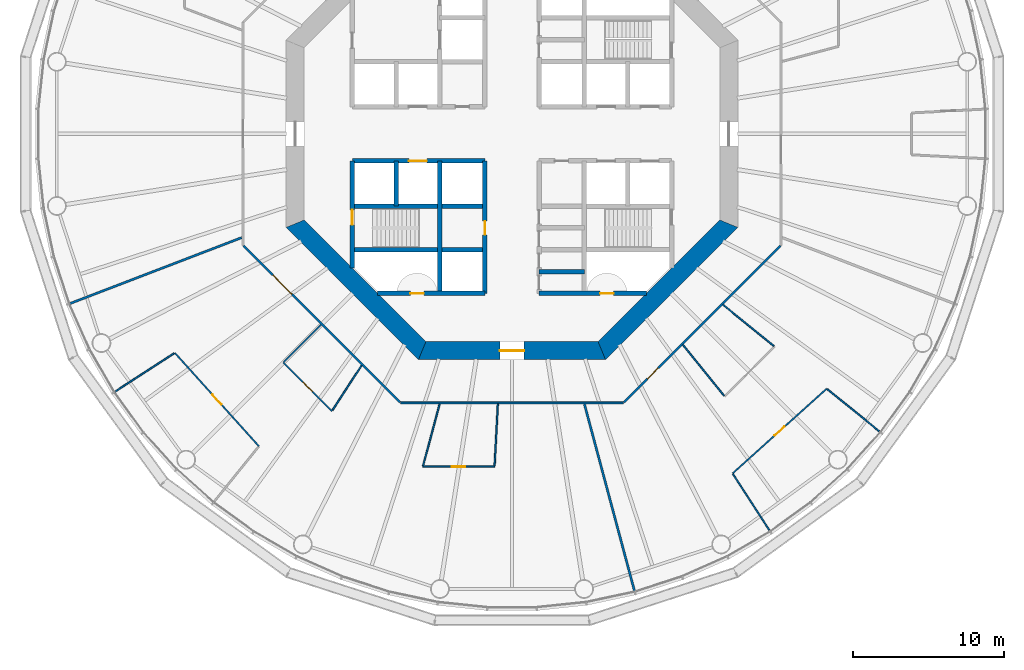
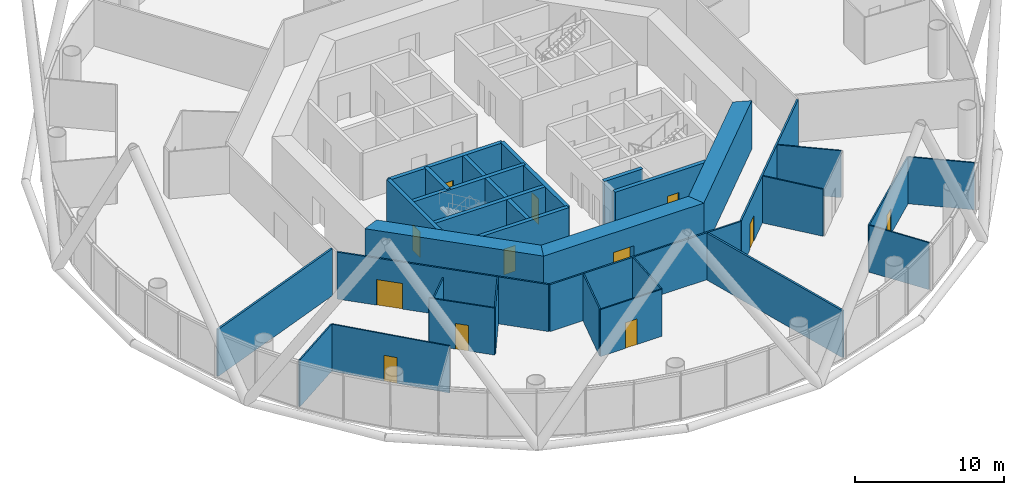
# One storey, part 3 of 13: 31 walls, 12 doors, 12 openings.
"""IFC4 building model written with IfcOpenShell, lengths in metres."""

from ifc_helpers import new_model, si_unit, direction, frame, frame_2d, origin, place, context, subcontext, project, spatial, polyline, rectangle, outline, extrude, material, layer, layer_set, type_object, element, fill, save


model = new_model("IFC4")

# Units and contexts
model_context = context("Model", 3, precision=1e-05, world=origin(), true_north=direction((0.0, 1.0)))
body_context = subcontext(model_context, "Body", "Model", "MODEL_VIEW")
ifc_project = project(units=[si_unit("LENGTHUNIT", "METRE"), si_unit("AREAUNIT", "SQUARE_METRE"), si_unit("VOLUMEUNIT", "CUBIC_METRE"), si_unit("PLANEANGLEUNIT", "RADIAN"), si_unit("MASSUNIT", "GRAM", prefix="KILO")], contexts=[model_context])

# Site, building, storey
site_placement = place(None, origin())
site = spatial("IfcSite", under=ifc_project, at=site_placement, CompositionType="ELEMENT")
building_placement = place(site_placement, origin())
building = spatial("IfcBuilding", under=site, at=building_placement, Name="Entoto Ring Tower", CompositionType="ELEMENT")
storey_placement = place(building_placement, frame((0.0, 0.0, 116.0)))
storey = spatial("IfcBuildingStorey", under=building, at=storey_placement, Name="L26", CompositionType="ELEMENT", Elevation=116.0)

# Wall, opening, door
ifc_material_1 = material(Name="Concrete C40/50", Category="concrete")
ifc_layer_1 = layer(ifc_material_1, 0.300048828125)
ifc_layer_set_1 = layer_set([ifc_layer_1], Name="Concrete C40/50")
wall_type_1 = type_object("IfcWallType", Name="Core enclosure wall 300 mm reinforced concrete", PredefinedType="SOLIDWALL", material=ifc_layer_set_1)
wall_1_placement = place(storey_placement, frame((88.199951171875, 69.39990234375, 0.0), z_axis=(0.0, 0.0, 1.0), x_axis=(0.0, 1.0, 0.0)))
wall_1 = element("IfcWall", 1, at=wall_1_placement, inside=storey, type_object=wall_type_1, Name="wall-L26-009", PredefinedType="SOLIDWALL", context=body_context, shape_type="SweptSolid", body=[
    extrude(rectangle(XDim=8.800048828125, YDim=0.300048828125, at=frame_2d((4.39990234375, 0.0))), origin(), (0.0, 0.0, 1.0), 3.85009765625),
])
opening_1_placement = place(wall_1_placement, frame((3.89990234375, 0.0, 0.0)))
opening_1 = element("IfcOpeningElement", 2, at=opening_1_placement, cuts=wall_1, Name="Opening K-57", PredefinedType="OPENING", context=body_context, shape_type="SweptSolid", body=[
    extrude(rectangle(XDim=0.89990234375, YDim=2.10009765625, at=frame_2d((0.449951171875, 1.050048828125))), frame((0.0, 0.16015625, 0.0), z_axis=(0.0, -1.0, 0.0), x_axis=(1.0, 0.0, 0.0)), (0.0, 0.0, 1.0), 0.320068359375),
])
ifc_material_2 = material(Name="Steel door leaf, fire rated", Category="steel")
ifc_layer_2 = layer(ifc_material_2, 0.050048828125)
ifc_layer_set_2 = layer_set([ifc_layer_2], Name="Steel door leaf, fire rated")
door_type_1 = type_object("IfcDoorType", Name="Core door 900 x 2100 single leaf", OperationType="NOTDEFINED", PredefinedType="DOOR", material=ifc_layer_set_2)
door_1_placement = place(opening_1_placement, origin())
door_1 = element("IfcDoor", 3, at=door_1_placement, inside=storey, type_object=door_type_1, Name="Door K-57", OperationType="SINGLE_SWING_RIGHT", OverallHeight=2.10009765625, OverallWidth=0.89990234375, PredefinedType="DOOR", context=body_context, shape_type="SweptSolid", body=[
    extrude(rectangle(XDim=0.89990234375, YDim=2.10009765625, at=frame_2d((0.449951171875, 1.050048828125))), frame((0.0, 0.02490234375, 0.0), z_axis=(0.0, -1.0, 0.0), x_axis=(1.0, 0.0, 0.0)), (0.0, 0.0, 1.0), 0.050048828125),
])
fill(opening_1, door_1)

# Walls
wall_2_placement = place(storey_placement, frame((85.199951171875, 69.39990234375, 0.0), z_axis=(0.0, 0.0, 1.0), x_axis=(0.0, 1.0, 0.0)))
element("IfcWall", 4, at=wall_2_placement, inside=storey, type_object=wall_type_1, Name="wall-L26-011", PredefinedType="SOLIDWALL", context=body_context, shape_type="SweptSolid", body=[
    extrude(rectangle(XDim=8.800048828125, YDim=0.300048828125, at=frame_2d((4.39990234375, 0.0))), origin(), (0.0, 0.0, 1.0), 3.85009765625),
])
wall_3_placement = place(storey_placement, frame((82.300048828125, 75.199951171875, 0.0), z_axis=(0.0, 0.0, 1.0), x_axis=(0.0, 1.0, 0.0)))
element("IfcWall", 5, at=wall_3_placement, inside=storey, type_object=wall_type_1, Name="wall-L26-013", PredefinedType="SOLIDWALL", context=body_context, shape_type="SweptSolid", body=[
    extrude(rectangle(XDim=3.0, YDim=0.300048828125, at=frame_2d((1.5, 0.0))), origin(), (0.0, 0.0, 1.0), 3.85009765625),
])

# Wall, opening, door
wall_4_placement = place(storey_placement, frame((79.39990234375, 71.083984375, 0.0), z_axis=(0.0, 0.0, 1.0), x_axis=(0.0, 1.0, 0.0)))
wall_4 = element("IfcWall", 6, at=wall_4_placement, inside=storey, type_object=wall_type_1, Name="wall-L26-015", PredefinedType="SOLIDWALL", context=body_context, shape_type="SweptSolid", body=[
    extrude(rectangle(XDim=7.115966796875, YDim=0.300048828125, at=frame_2d((3.55810546875, 0.0))), origin(), (0.0, 0.0, 1.0), 3.85009765625),
])
opening_2_placement = place(wall_4_placement, frame((2.8662109375, 0.0, 0.0)))
opening_2 = element("IfcOpeningElement", 7, at=opening_2_placement, cuts=wall_4, Name="Opening K-67", PredefinedType="OPENING", context=body_context, shape_type="SweptSolid", body=[
    extrude(rectangle(XDim=1.0, YDim=2.10009765625, at=frame_2d((0.5, 1.050048828125))), frame((0.0, 0.16015625, 0.0), z_axis=(0.0, -1.0, 0.0), x_axis=(1.0, 0.0, 0.0)), (0.0, 0.0, 1.0), 0.320068359375),
])
ifc_material_3 = material(Name="Steel door leaf, fire rated", Category="steel")
ifc_layer_3 = layer(ifc_material_3, 0.050048828125)
ifc_layer_set_3 = layer_set([ifc_layer_3], Name="Steel door leaf, fire rated")
door_type_2 = type_object("IfcDoorType", Name="Fire door FD60 1000 x 2100 single leaf", OperationType="NOTDEFINED", PredefinedType="DOOR", material=ifc_layer_set_3)
door_2_placement = place(opening_2_placement, frame((1.0, 0.0, 0.0), z_axis=(0.0, 0.0, 1.0), x_axis=(-1.0, 0.0, 0.0)))
door_2 = element("IfcDoor", 8, at=door_2_placement, inside=storey, type_object=door_type_2, Name="Door K-67", OperationType="SINGLE_SWING_LEFT", OverallHeight=2.10009765625, OverallWidth=1.0, PredefinedType="DOOR", context=body_context, shape_type="SweptSolid", body=[
    extrude(rectangle(XDim=1.0, YDim=2.10009765625, at=frame_2d((0.5, 1.050048828125))), frame((0.0, 0.02490234375, 0.0), z_axis=(0.0, -1.0, 0.0), x_axis=(1.0, 0.0, 0.0)), (0.0, 0.0, 1.0), 0.050048828125),
])
fill(opening_2, door_2)

wall_5_placement = place(storey_placement, frame((81.083984375, 69.39990234375, 0.0), z_axis=(0.0, 0.0, 1.0), x_axis=(1.0, 0.0, 0.0)))
wall_5 = element("IfcWall", 9, at=wall_5_placement, inside=storey, type_object=wall_type_1, Name="wall-L26-017", PredefinedType="SOLIDWALL", context=body_context, shape_type="SweptSolid", body=[
    extrude(rectangle(XDim=7.115966796875, YDim=0.300048828125, at=frame_2d((3.55810546875, 0.0))), origin(), (0.0, 0.0, 1.0), 3.85009765625),
])
opening_3_placement = place(wall_5_placement, frame((2.166015625, 0.0, 0.0)))
opening_3 = element("IfcOpeningElement", 10, at=opening_3_placement, cuts=wall_5, Name="Opening K-74", PredefinedType="OPENING", context=body_context, shape_type="SweptSolid", body=[
    extrude(rectangle(XDim=0.89990234375, YDim=2.10009765625, at=frame_2d((0.449951171875, 1.050048828125))), frame((0.0, 0.16015625, 0.0), z_axis=(0.0, -1.0, 0.0), x_axis=(1.0, 0.0, 0.0)), (0.0, 0.0, 1.0), 0.320068359375),
])
ifc_material_4 = material(Name="Steel door leaf, fire rated", Category="steel")
ifc_layer_4 = layer(ifc_material_4, 0.050048828125)
ifc_layer_set_4 = layer_set([ifc_layer_4], Name="Steel door leaf, fire rated")
door_type_3 = type_object("IfcDoorType", Name="Riser door FD60 900 x 2100 single leaf", OperationType="NOTDEFINED", PredefinedType="DOOR", material=ifc_layer_set_4)
door_3_placement = place(opening_3_placement, origin())
door_3 = element("IfcDoor", 11, at=door_3_placement, inside=storey, type_object=door_type_3, Name="Door K-74", OperationType="SINGLE_SWING_RIGHT", OverallHeight=2.10009765625, OverallWidth=0.89990234375, PredefinedType="DOOR", context=body_context, shape_type="SweptSolid", body=[
    extrude(rectangle(XDim=0.89990234375, YDim=2.10009765625, at=frame_2d((0.449951171875, 1.050048828125))), frame((0.0, 0.02490234375, 0.0), z_axis=(0.0, -1.0, 0.0), x_axis=(1.0, 0.0, 0.0)), (0.0, 0.0, 1.0), 0.050048828125),
])
fill(opening_3, door_3)

wall_6_placement = place(storey_placement, frame((91.800048828125, 69.39990234375, 0.0), z_axis=(0.0, 0.0, 1.0), x_axis=(1.0, 0.0, 0.0)))
wall_6 = element("IfcWall", 12, at=wall_6_placement, inside=storey, type_object=wall_type_1, Name="wall-L26-018", PredefinedType="SOLIDWALL", context=body_context, shape_type="SweptSolid", body=[
    extrude(rectangle(XDim=7.115966796875, YDim=0.300048828125, at=frame_2d((3.55810546875, 0.0))), origin(), (0.0, 0.0, 1.0), 3.85009765625),
])
opening_4_placement = place(wall_6_placement, frame((4.050048828125, 0.0, 0.0)))
opening_4 = element("IfcOpeningElement", 13, at=opening_4_placement, cuts=wall_6, Name="Opening K-75", PredefinedType="OPENING", context=body_context, shape_type="SweptSolid", body=[
    extrude(rectangle(XDim=0.89990234375, YDim=2.10009765625, at=frame_2d((0.449951171875, 1.050048828125))), frame((0.0, 0.16015625, 0.0), z_axis=(0.0, -1.0, 0.0), x_axis=(1.0, 0.0, 0.0)), (0.0, 0.0, 1.0), 0.320068359375),
])
door_4_placement = place(opening_4_placement, origin())
door_4 = element("IfcDoor", 14, at=door_4_placement, inside=storey, type_object=door_type_3, Name="Door K-75", OperationType="SINGLE_SWING_LEFT", OverallHeight=2.10009765625, OverallWidth=0.89990234375, PredefinedType="DOOR", context=body_context, shape_type="SweptSolid", body=[
    extrude(rectangle(XDim=0.89990234375, YDim=2.10009765625, at=frame_2d((0.449951171875, 1.050048828125))), frame((0.0, 0.02490234375, 0.0), z_axis=(0.0, -1.0, 0.0), x_axis=(1.0, 0.0, 0.0)), (0.0, 0.0, 1.0), 0.050048828125),
])
fill(opening_4, door_4)

# Walls
wall_7_placement = place(storey_placement, frame((91.800048828125, 70.85009765625, 0.0), z_axis=(0.0, 0.0, 1.0), x_axis=(1.0, 0.0, 0.0)))
element("IfcWall", 15, at=wall_7_placement, inside=storey, type_object=wall_type_1, Name="wall-L26-019", PredefinedType="SOLIDWALL", context=body_context, shape_type="SweptSolid", body=[
    extrude(rectangle(XDim=3.0, YDim=0.300048828125, at=frame_2d((1.5, 0.0))), origin(), (0.0, 0.0, 1.0), 3.85009765625),
])
for number, where, z_axis, x_axis, name in (
    (16, (79.39990234375, 72.300048828125, 0.0), (0.0, 0.0, 1.0), (1.0, 0.0, 0.0), "wall-L26-020"),
    (17, (79.39990234375, 75.199951171875, 0.0), (0.0, 0.0, 1.0), (1.0, 0.0, 0.0), "wall-L26-023"),
):
    element("IfcWall", number, at=place(storey_placement, frame(where, z_axis=z_axis, x_axis=x_axis)), inside=storey, type_object=wall_type_1, Name=name, PredefinedType="SOLIDWALL", context=body_context, shape_type="SweptSolid", body=[
        extrude(rectangle(XDim=8.800048828125, YDim=0.300048828125, at=frame_2d((4.39990234375, 0.0))), origin(), (0.0, 0.0, 1.0), 3.85009765625),
    ])

# Wall, opening, door
wall_8_placement = place(storey_placement, frame((79.39990234375, 78.199951171875, 0.0), z_axis=(0.0, 0.0, 1.0), x_axis=(1.0, 0.0, 0.0)))
wall_8 = element("IfcWall", 18, at=wall_8_placement, inside=storey, type_object=wall_type_1, Name="wall-L26-025", PredefinedType="SOLIDWALL", context=body_context, shape_type="SweptSolid", body=[
    extrude(rectangle(XDim=8.800048828125, YDim=0.300048828125, at=frame_2d((4.39990234375, 0.0))), origin(), (0.0, 0.0, 1.0), 3.85009765625),
])
opening_5_placement = place(wall_8_placement, frame((3.75, 0.0, 0.0)))
opening_5 = element("IfcOpeningElement", 19, at=opening_5_placement, cuts=wall_8, Name="Opening LD", PredefinedType="OPENING", context=body_context, shape_type="SweptSolid", body=[
    extrude(rectangle(XDim=1.199951171875, YDim=2.10009765625, at=frame_2d((0.60009765625, 1.050048828125))), frame((0.0, 0.16015625, 0.0), z_axis=(0.0, -1.0, 0.0), x_axis=(1.0, 0.0, 0.0)), (0.0, 0.0, 1.0), 0.320068359375),
])
ifc_material_5 = material(Name="Steel and glass door leaf", Category="steel")
ifc_layer_5 = layer(ifc_material_5, 0.050048828125)
ifc_layer_set_5 = layer_set([ifc_layer_5], Name="Steel and glass door leaf")
door_type_4 = type_object("IfcDoorType", Name="Landing door 1200 x 2100 sliding", OperationType="DOUBLE_DOOR_SLIDING", PredefinedType="DOOR", material=ifc_layer_set_5)
door_5_placement = place(opening_5_placement, origin())
door_5 = element("IfcDoor", 20, at=door_5_placement, inside=storey, type_object=door_type_4, Name="Landing door LB6-LR", OperationType="SLIDING_TO_RIGHT", OverallHeight=2.10009765625, OverallWidth=1.199951171875, PredefinedType="DOOR", context=body_context, shape_type="SweptSolid", body=[
    extrude(rectangle(XDim=1.199951171875, YDim=2.10009765625, at=frame_2d((0.60009765625, 1.050048828125))), frame((0.0, 0.02490234375, 0.0), z_axis=(0.0, -1.0, 0.0), x_axis=(1.0, 0.0, 0.0)), (0.0, 0.0, 1.0), 0.050048828125),
])
fill(opening_5, door_5)

# Wall
ifc_material_6 = material(Name="Concrete C60/75", Category="concrete")
ifc_layer_6 = layer(ifc_material_6, 1.199951171875)
ifc_layer_set_6 = layer_set([ifc_layer_6], Name="Concrete C60/75")
wall_type_2 = type_object("IfcWallType", Name="Core shear wall 1200 mm reinforced concrete C60/75", PredefinedType="SHEAR", material=ifc_layer_set_6)
wall_9_placement = place(storey_placement, frame((75.60009765625, 74.035400390625, 0.0), z_axis=(0.0, 0.0, 1.0), x_axis=(0.707106781187, -0.707106781187, 0.0)))
element("IfcWall", 21, at=wall_9_placement, inside=storey, type_object=wall_type_2, Name="wall-L26-core-5", PredefinedType="SHEAR", context=body_context, shape_type="SweptSolid", body=[
    extrude(outline(polyline([(-0.24853515625, -0.60009765625), (12.177734375, -0.60009765625), (11.6806640625, 0.60009765625), (0.24853515625, 0.60009765625), (-0.24853515625, -0.60009765625)])), origin(), (0.0, 0.0, 1.0), 4.0),
])

# Wall, opening, door
wall_10_placement = place(storey_placement, frame((84.035400390625, 65.60009765625, 0.0), z_axis=(0.0, 0.0, 1.0), x_axis=(1.0, 0.0, 0.0)))
wall_10 = element("IfcWall", 22, at=wall_10_placement, inside=storey, type_object=wall_type_2, Name="wall-L26-core-6", PredefinedType="SHEAR", context=body_context, shape_type="SweptSolid", body=[
    extrude(outline(polyline([(-0.24853515625, -0.60009765625), (12.177734375, -0.60009765625), (11.6806640625, 0.60009765625), (0.24853515625, 0.60009765625), (-0.24853515625, -0.60009765625)])), origin(), (0.0, 0.0, 1.0), 4.0),
])
opening_6_placement = place(wall_10_placement, frame((5.164794921875, 0.0, 0.0)))
opening_6 = element("IfcOpeningElement", 23, at=opening_6_placement, cuts=wall_10, Name="Opening K-04", PredefinedType="OPENING", context=body_context, shape_type="SweptSolid", body=[
    extrude(rectangle(XDim=1.60009765625, YDim=2.39990234375, at=frame_2d((0.800048828125, 1.199951171875))), frame((0.0, 0.60986328125, 0.0), z_axis=(0.0, -1.0, 0.0), x_axis=(1.0, 0.0, 0.0)), (0.0, 0.0, 1.0), 1.219970703125),
])
ifc_material_7 = material(Name="Steel door leaf, fire rated", Category="steel")
ifc_layer_7 = layer(ifc_material_7, 0.050048828125)
ifc_layer_set_7 = layer_set([ifc_layer_7], Name="Steel door leaf, fire rated")
door_type_5 = type_object("IfcDoorType", Name="Entrance door FD60 1600 x 2400 double leaf", OperationType="DOUBLE_DOOR_SINGLE_SWING", PredefinedType="DOOR", material=ifc_layer_set_7)
door_6_placement = place(opening_6_placement, origin())
door_6 = element("IfcDoor", 24, at=door_6_placement, inside=storey, type_object=door_type_5, Name="Entrance door K-04", OperationType="DOUBLE_DOOR_SINGLE_SWING", OverallHeight=2.39990234375, OverallWidth=1.60009765625, PredefinedType="DOOR", context=body_context, shape_type="SweptSolid", body=[
    extrude(rectangle(XDim=1.60009765625, YDim=2.39990234375, at=frame_2d((0.800048828125, 1.199951171875))), frame((0.0, 0.02490234375, 0.0), z_axis=(0.0, -1.0, 0.0), x_axis=(1.0, 0.0, 0.0)), (0.0, 0.0, 1.0), 0.050048828125),
])
fill(opening_6, door_6)

# Walls
wall_11_placement = place(storey_placement, frame((95.964599609375, 65.60009765625, 0.0), z_axis=(0.0, 0.0, 1.0), x_axis=(0.707106781187, 0.707106781187, 0.0)))
element("IfcWall", 25, at=wall_11_placement, inside=storey, type_object=wall_type_2, Name="wall-L26-core-7", PredefinedType="SHEAR", context=body_context, shape_type="SweptSolid", body=[
    extrude(outline(polyline([(-0.24853515625, -0.60009765625), (12.177734375, -0.60009765625), (11.6806640625, 0.60009765625), (0.24853515625, 0.60009765625), (-0.24853515625, -0.60009765625)])), origin(), (0.0, 0.0, 1.0), 4.0),
])
ifc_material_8 = material(Name="Fire-resisting plasterboard on steel studs", Category="steel")
ifc_layer_8 = layer(ifc_material_8, 0.125)
ifc_layer_set_8 = layer_set([ifc_layer_8], Name="Fire-resisting plasterboard on steel studs")
wall_type_3 = type_object("IfcWallType", Name="Corridor wall 125 mm one-hour plasterboard on steel studs", PredefinedType="PARTITIONING", material=ifc_layer_set_8)
wall_12_placement = place(storey_placement, frame((82.60107421875, 62.137451171875, 0.0), z_axis=(0.0, 0.0, 1.0), x_axis=(1.0, 0.0, 0.0)))
element("IfcWall", 26, at=wall_12_placement, inside=storey, type_object=wall_type_3, Name="partition-L26-002", PredefinedType="PARTITIONING", context=body_context, shape_type="SweptSolid", body=[
    extrude(rectangle(XDim=14.7978515625, YDim=0.125, at=frame_2d((7.39892578125, 0.0))), origin(), (0.0, 0.0, 1.0), 3.85009765625),
])

# Wall, opening, door
wall_13_placement = place(storey_placement, frame((82.570068359375, 62.168701171875, 0.0), z_axis=(0.0, 0.0, 1.0), x_axis=(-0.707106781187, 0.707106781187, 0.0)))
wall_13 = element("IfcWall", 27, at=wall_13_placement, inside=storey, type_object=wall_type_3, Name="partition-L26-006", PredefinedType="PARTITIONING", context=body_context, shape_type="SweptSolid", body=[
    extrude(rectangle(XDim=14.709716796875, YDim=0.125, at=frame_2d((7.35498046875, 0.0))), origin(), (0.0, 0.0, 1.0), 3.85009765625),
])
opening_7_placement = place(wall_13_placement, frame((10.154296875, 0.0, 0.0)))
opening_7 = element("IfcOpeningElement", 28, at=opening_7_placement, cuts=wall_13, Name="Opening A11-D10", PredefinedType="OPENING", context=body_context, shape_type="SweptSolid", body=[
    extrude(rectangle(XDim=1.800048828125, YDim=2.10009765625, at=frame_2d((0.89990234375, 1.050048828125))), frame((0.0, 0.072509765625, 0.0), z_axis=(0.0, -1.0, 0.0), x_axis=(1.0, 0.0, 0.0)), (0.0, 0.0, 1.0), 0.14501953125),
])
ifc_material_9 = material(Name="Fire-resisting timber door set", Category="wood")
door_type_6 = type_object("IfcDoorType", Name="Door 1800 x 2100 double leaf FD30S fire door", OperationType="DOUBLE_DOOR_SINGLE_SWING", PredefinedType="DOOR", material=ifc_material_9)
door_7_placement = place(opening_7_placement, origin())
door_7 = element("IfcDoor", 29, at=door_7_placement, inside=storey, type_object=door_type_6, Name="Door A11-D10", OperationType="DOUBLE_DOOR_SINGLE_SWING", OverallHeight=2.10009765625, OverallWidth=1.800048828125, PredefinedType="DOOR", context=body_context, shape_type="SweptSolid", body=[
    extrude(rectangle(XDim=1.800048828125, YDim=2.10009765625, at=frame_2d((0.89990234375, 1.050048828125))), frame((0.0, 0.02490234375, 0.0), z_axis=(0.0, -1.0, 0.0), x_axis=(1.0, 0.0, 0.0)), (0.0, 0.0, 1.0), 0.050048828125),
])
fill(opening_7, door_7)

wall_14_placement = place(storey_placement, frame((97.429931640625, 62.168701171875, 0.0), z_axis=(0.0, 0.0, 1.0), x_axis=(0.707106781187, 0.707106781187, 0.0)))
wall_14 = element("IfcWall", 30, at=wall_14_placement, inside=storey, type_object=wall_type_3, Name="partition-L26-007", PredefinedType="PARTITIONING", context=body_context, shape_type="SweptSolid", body=[
    extrude(rectangle(XDim=14.709716796875, YDim=0.125, at=frame_2d((7.35498046875, 0.0))), origin(), (0.0, 0.0, 1.0), 3.85009765625),
])
opening_8_placement = place(wall_14_placement, frame((2.216796875, 0.0, 0.0)))
opening_8 = element("IfcOpeningElement", 31, at=opening_8_placement, cuts=wall_14, Name="Opening A11-D14", PredefinedType="OPENING", context=body_context, shape_type="SweptSolid", body=[
    extrude(rectangle(XDim=1.0, YDim=2.10009765625, at=frame_2d((0.5, 1.050048828125))), frame((0.0, 0.072509765625, 0.0), z_axis=(0.0, -1.0, 0.0), x_axis=(1.0, 0.0, 0.0)), (0.0, 0.0, 1.0), 0.14501953125),
])
ifc_material_10 = material(Name="Fire-resisting timber door set", Category="wood")
door_type_7 = type_object("IfcDoorType", Name="Door 1000 x 2100 single leaf FD30S fire door", OperationType="NOTDEFINED", PredefinedType="DOOR", material=ifc_material_10)
door_8_placement = place(opening_8_placement, frame((1.0, 0.0, 0.0), z_axis=(0.0, 0.0, 1.0), x_axis=(-1.0, 0.0, 0.0)))
door_8 = element("IfcDoor", 32, at=door_8_placement, inside=storey, type_object=door_type_7, Name="Door A11-D14", OperationType="SINGLE_SWING_LEFT", OverallHeight=2.10009765625, OverallWidth=1.0, PredefinedType="DOOR", context=body_context, shape_type="SweptSolid", body=[
    extrude(rectangle(XDim=1.0, YDim=2.10009765625, at=frame_2d((0.5, 1.050048828125))), frame((0.0, 0.02490234375, 0.0), z_axis=(0.0, -1.0, 0.0), x_axis=(1.0, 0.0, 0.0)), (0.0, 0.0, 1.0), 0.050048828125),
])
fill(opening_8, door_8)

ifc_material_11 = material(Name="Plasterboard on steel studs", Category="steel")
ifc_layer_9 = layer(ifc_material_11, 0.10009765625)
ifc_layer_set_9 = layer_set([ifc_layer_9], Name="Plasterboard on steel studs")
wall_type_4 = type_object("IfcWallType", Name="Partition 100 mm plasterboard on steel studs", PredefinedType="PARTITIONING", material=ifc_layer_set_9)
wall_15_placement = place(storey_placement, frame((104.645263671875, 57.447998046875, 0.0), z_axis=(0.0, 0.0, 1.0), x_axis=(0.7431368482, 0.669139465916, 0.0)))
wall_15 = element("IfcWall", 33, at=wall_15_placement, inside=storey, type_object=wall_type_4, Name="partition-L26-014", PredefinedType="PARTITIONING", context=body_context, shape_type="SweptSolid", body=[
    extrude(rectangle(XDim=8.413330078125, YDim=0.10009765625, at=frame_2d((4.20654296875, 0.0))), origin(), (0.0, 0.0, 1.0), 3.85009765625),
])
opening_9_placement = place(wall_15_placement, frame((3.756591796875, 0.0, 0.0)))
opening_9 = element("IfcOpeningElement", 34, at=opening_9_placement, cuts=wall_15, Name="Opening A11-D16", PredefinedType="OPENING", context=body_context, shape_type="SweptSolid", body=[
    extrude(rectangle(XDim=0.89990234375, YDim=2.10009765625, at=frame_2d((0.449951171875, 1.050048828125))), frame((0.0, 0.06005859375, 0.0), z_axis=(0.0, -1.0, 0.0), x_axis=(1.0, 0.0, 0.0)), (0.0, 0.0, 1.0), 0.1201171875),
])
ifc_material_12 = material(Name="Veneered timber door leaf in timber frame", Category="wood")
door_type_8 = type_object("IfcDoorType", Name="Door 900 x 2100 single leaf timber veneer", OperationType="NOTDEFINED", PredefinedType="DOOR", material=ifc_material_12)
door_9_placement = place(opening_9_placement, frame((0.89990234375, 0.0, 0.0), z_axis=(0.0, 0.0, 1.0), x_axis=(-1.0, 0.0, 0.0)))
door_9 = element("IfcDoor", 35, at=door_9_placement, inside=storey, type_object=door_type_8, Name="Door A11-D16", OperationType="SINGLE_SWING_RIGHT", OverallHeight=2.10009765625, OverallWidth=0.89990234375, PredefinedType="DOOR", context=body_context, shape_type="SweptSolid", body=[
    extrude(rectangle(XDim=0.89990234375, YDim=2.10009765625, at=frame_2d((0.449951171875, 1.050048828125))), frame((0.0, 0.02490234375, 0.0), z_axis=(0.0, -1.0, 0.0), x_axis=(1.0, 0.0, 0.0)), (0.0, 0.0, 1.0), 0.050048828125),
])
fill(opening_9, door_9)

wall_16_placement = place(storey_placement, frame((73.197021484375, 59.250244140625, 0.0), z_axis=(0.0, 0.0, 1.0), x_axis=(-0.669137488158, 0.74313862902, 0.0)))
wall_16 = element("IfcWall", 36, at=wall_16_placement, inside=storey, type_object=wall_type_4, Name="partition-L26-016", PredefinedType="PARTITIONING", context=body_context, shape_type="SweptSolid", body=[
    extrude(rectangle(XDim=8.353515625, YDim=0.10009765625, at=frame_2d((4.1767578125, 0.0))), origin(), (0.0, 0.0, 1.0), 3.85009765625),
])
opening_10_placement = place(wall_16_placement, frame((3.726806640625, 0.0, 0.0)))
opening_10 = element("IfcOpeningElement", 37, at=opening_10_placement, cuts=wall_16, Name="Opening A11-D13", PredefinedType="OPENING", context=body_context, shape_type="SweptSolid", body=[
    extrude(rectangle(XDim=0.89990234375, YDim=2.10009765625, at=frame_2d((0.449951171875, 1.050048828125))), frame((0.0, 0.06005859375, 0.0), z_axis=(0.0, -1.0, 0.0), x_axis=(1.0, 0.0, 0.0)), (0.0, 0.0, 1.0), 0.1201171875),
])
door_10_placement = place(opening_10_placement, origin())
door_10 = element("IfcDoor", 38, at=door_10_placement, inside=storey, type_object=door_type_8, Name="Door A11-D13", OperationType="SINGLE_SWING_RIGHT", OverallHeight=2.10009765625, OverallWidth=0.89990234375, PredefinedType="DOOR", context=body_context, shape_type="SweptSolid", body=[
    extrude(rectangle(XDim=0.89990234375, YDim=2.10009765625, at=frame_2d((0.449951171875, 1.050048828125))), frame((0.0, 0.02490234375, 0.0), z_axis=(0.0, -1.0, 0.0), x_axis=(1.0, 0.0, 0.0)), (0.0, 0.0, 1.0), 0.050048828125),
])
fill(opening_10, door_10)

wall_17_placement = place(storey_placement, frame((84.07763671875, 57.8974609375, 0.0), z_axis=(0.0, 0.0, 1.0), x_axis=(1.0, 0.0, 0.0)))
wall_17 = element("IfcWall", 39, at=wall_17_placement, inside=storey, type_object=wall_type_4, Name="partition-L26-022", PredefinedType="PARTITIONING", context=body_context, shape_type="SweptSolid", body=[
    extrude(rectangle(XDim=4.76416015625, YDim=0.10009765625, at=frame_2d((2.382080078125, 0.0))), origin(), (0.0, 0.0, 1.0), 3.85009765625),
])
opening_11_placement = place(wall_17_placement, frame((1.931884765625, 0.0, 0.0)))
opening_11 = element("IfcOpeningElement", 40, at=opening_11_placement, cuts=wall_17, Name="Opening A11-D12", PredefinedType="OPENING", context=body_context, shape_type="SweptSolid", body=[
    extrude(rectangle(XDim=0.89990234375, YDim=2.10009765625, at=frame_2d((0.449951171875, 1.050048828125))), frame((0.0, 0.06005859375, 0.0), z_axis=(0.0, -1.0, 0.0), x_axis=(1.0, 0.0, 0.0)), (0.0, 0.0, 1.0), 0.1201171875),
])
door_11_placement = place(opening_11_placement, origin())
door_11 = element("IfcDoor", 41, at=door_11_placement, inside=storey, type_object=door_type_8, Name="Door A11-D12", OperationType="SINGLE_SWING_LEFT", OverallHeight=2.10009765625, OverallWidth=0.89990234375, PredefinedType="DOOR", context=body_context, shape_type="SweptSolid", body=[
    extrude(rectangle(XDim=0.89990234375, YDim=2.10009765625, at=frame_2d((0.449951171875, 1.050048828125))), frame((0.0, 0.02490234375, 0.0), z_axis=(0.0, -1.0, 0.0), x_axis=(1.0, 0.0, 0.0)), (0.0, 0.0, 1.0), 0.050048828125),
])
fill(opening_11, door_11)

# Wall
wall_18_placement = place(storey_placement, frame((63.632080078125, 62.87646484375, 0.0), z_axis=(0.0, 0.0, 1.0), x_axis=(0.838659964032, 0.544655363262, 0.0)))
element("IfcWall", 42, at=wall_18_placement, inside=storey, type_object=wall_type_4, Name="partition-L26-023", PredefinedType="PARTITIONING", context=body_context, shape_type="SweptSolid", body=[
    extrude(rectangle(XDim=4.69091796875, YDim=0.10009765625, at=frame_2d((2.345458984375, 0.0))), origin(), (0.0, 0.0, 1.0), 3.85009765625),
])

# Wall, opening, door
wall_19_placement = place(storey_placement, frame((78.0439453125, 61.58935546875, 0.0), z_axis=(0.0, 0.0, 1.0), x_axis=(-0.707106781187, 0.707106781187, 0.0)))
wall_19 = element("IfcWall", 43, at=wall_19_placement, inside=storey, type_object=wall_type_4, Name="partition-L26-027", PredefinedType="PARTITIONING", context=body_context, shape_type="SweptSolid", body=[
    extrude(rectangle(XDim=4.56396484375, YDim=0.10009765625, at=frame_2d((2.281982421875, 0.0))), origin(), (0.0, 0.0, 1.0), 3.85009765625),
])
opening_12_placement = place(wall_19_placement, frame((1.83203125, 0.0, 0.0)))
opening_12 = element("IfcOpeningElement", 44, at=opening_12_placement, cuts=wall_19, Name="Opening A11-D11", PredefinedType="OPENING", context=body_context, shape_type="SweptSolid", body=[
    extrude(rectangle(XDim=0.89990234375, YDim=2.10009765625, at=frame_2d((0.449951171875, 1.050048828125))), frame((0.0, 0.06005859375, 0.0), z_axis=(0.0, -1.0, 0.0), x_axis=(1.0, 0.0, 0.0)), (0.0, 0.0, 1.0), 0.1201171875),
])
door_12_placement = place(opening_12_placement, frame((0.89990234375, 0.0, 0.0), z_axis=(0.0, 0.0, 1.0), x_axis=(-1.0, 0.0, 0.0)))
door_12 = element("IfcDoor", 45, at=door_12_placement, inside=storey, type_object=door_type_8, Name="Door A11-D11", OperationType="SINGLE_SWING_RIGHT", OverallHeight=2.10009765625, OverallWidth=0.89990234375, PredefinedType="DOOR", context=body_context, shape_type="SweptSolid", body=[
    extrude(rectangle(XDim=0.89990234375, YDim=2.10009765625, at=frame_2d((0.449951171875, 1.050048828125))), frame((0.0, 0.02490234375, 0.0), z_axis=(0.0, -1.0, 0.0), x_axis=(1.0, 0.0, 0.0)), (0.0, 0.0, 1.0), 0.050048828125),
])
fill(opening_12, door_12)

# Walls
for number, where, z_axis, x_axis, name in (
    (46, (114.43359375, 60.214111328125, 0.0), (0.0, 0.0, 1.0), (-0.777166543981, 0.629294972899, 0.0), "partition-L26-030"),
    (47, (107.12353515625, 53.632080078125, 0.0), (0.0, 0.0, 1.0), (-0.544658462499, 0.83865795127, 0.0), "partition-L26-031"),
):
    element("IfcWall", number, at=place(storey_placement, frame(where, z_axis=z_axis, x_axis=x_axis)), inside=storey, type_object=wall_type_4, Name=name, PredefinedType="PARTITIONING", context=body_context, shape_type="SweptSolid", body=[
        extrude(rectangle(XDim=4.500732421875, YDim=0.10009765625, at=frame_2d((2.25048828125, 0.0))), origin(), (0.0, 0.0, 1.0), 3.85009765625),
    ])
for number, where, z_axis, x_axis, name in (
    (48, (104.083984375, 62.607421875, 0.0), (0.0, 0.0, 1.0), (-0.629275703713, 0.777182146422, 0.0), "partition-L26-032"),
    (49, (107.392578125, 65.916015625, 0.0), (0.0, 0.0, 1.0), (-0.777182146422, 0.629275703713, 0.0), "partition-L26-033"),
):
    element("IfcWall", number, at=place(storey_placement, frame(where, z_axis=z_axis, x_axis=x_axis)), inside=storey, type_object=wall_type_4, Name=name, PredefinedType="PARTITIONING", context=body_context, shape_type="SweptSolid", body=[
        extrude(rectangle(XDim=4.35107421875, YDim=0.10009765625, at=frame_2d((2.175537109375, 0.0))), origin(), (0.0, 0.0, 1.0), 3.85009765625),
    ])
wall_20_placement = place(storey_placement, frame((84.094482421875, 57.960205078125, 0.0), z_axis=(0.0, 0.0, 1.0), x_axis=(0.258814629035, 0.96592700956, 0.0)))
element("IfcWall", 50, at=wall_20_placement, inside=storey, type_object=wall_type_4, Name="partition-L26-034", PredefinedType="PARTITIONING", context=body_context, shape_type="SweptSolid", body=[
    extrude(rectangle(XDim=4.246826171875, YDim=0.10009765625, at=frame_2d((2.12353515625, 0.0))), origin(), (0.0, 0.0, 1.0), 3.85009765625),
])
wall_21_placement = place(storey_placement, frame((88.84423828125, 57.947509765625, 0.0), z_axis=(0.0, 0.0, 1.0), x_axis=(0.052366497942, 0.998627933664, 0.0)))
element("IfcWall", 51, at=wall_21_placement, inside=storey, type_object=wall_type_4, Name="partition-L26-037", PredefinedType="PARTITIONING", context=body_context, shape_type="SweptSolid", body=[
    extrude(rectangle(XDim=4.130615234375, YDim=0.10009765625, at=frame_2d((2.0654296875, 0.0))), origin(), (0.0, 0.0, 1.0), 3.85009765625),
])
wall_22_placement = place(storey_placement, frame((78.077392578125, 61.64111328125, 0.0), z_axis=(0.0, 0.0, 1.0), x_axis=(0.544643087082, 0.838667936489, 0.0)))
element("IfcWall", 52, at=wall_22_placement, inside=storey, type_object=wall_type_4, Name="partition-L26-044", PredefinedType="PARTITIONING", context=body_context, shape_type="SweptSolid", body=[
    extrude(rectangle(XDim=3.5546875, YDim=0.10009765625, at=frame_2d((1.77734375, 0.0))), origin(), (0.0, 0.0, 1.0), 3.85009765625),
])
ifc_material_13 = material(Name="Plasterboard on steel studs", Category="steel")
ifc_layer_10 = layer(ifc_material_13, 0.10009765625)
ifc_layer_set_10 = layer_set([ifc_layer_10], Name="Plasterboard on steel studs")
wall_type_5 = type_object("IfcWallType", Name="Partition 100 mm plasterboard on steel studs, 3097 mm high", PredefinedType="PARTITIONING", material=ifc_layer_set_10)
wall_23_placement = place(storey_placement, frame((74.85205078125, 64.85205078125, 0.0), z_axis=(0.0, 0.0, 1.0), x_axis=(0.707106781187, 0.707106781187, 0.0)))
element("IfcWall", 53, at=wall_23_placement, inside=storey, type_object=wall_type_5, Name="partition-L26-045", PredefinedType="PARTITIONING", context=body_context, shape_type="SweptSolid", body=[
    extrude(rectangle(XDim=3.497314453125, YDim=0.10009765625, at=frame_2d((1.74853515625, 0.0))), origin(), (0.0, 0.0, 1.0), 3.096923828125),
])
ifc_material_14 = material(Name="Fire-resisting acoustic plasterboard on steel studs", Category="steel")
ifc_layer_11 = layer(ifc_material_14, 0.14990234375)
ifc_layer_set_11 = layer_set([ifc_layer_11], Name="Fire-resisting acoustic plasterboard on steel studs")
wall_type_6 = type_object("IfcWallType", Name="Party wall 150 mm one-hour acoustic plasterboard on steel studs", PredefinedType="PARTITIONING", material=ifc_layer_set_11)
wall_24_placement = place(storey_placement, frame((98.13720703125, 49.63134765625, 0.0), z_axis=(0.0, 0.0, 1.0), x_axis=(-0.258820206775, 0.965925515019, 0.0)))
element("IfcWall", 54, at=wall_24_placement, inside=storey, type_object=wall_type_6, Name="partition-L26-011", PredefinedType="PARTITIONING", context=body_context, shape_type="SweptSolid", body=[
    extrude(rectangle(XDim=12.862548828125, YDim=0.14990234375, at=frame_2d((6.43115234375, 0.0))), origin(), (0.0, 0.0, 1.0), 3.85009765625),
])
wall_25_placement = place(storey_placement, frame((60.648193359375, 68.73291015625, 0.0), z_axis=(0.0, 0.0, 1.0), x_axis=(0.933583979108, 0.35835869454, 0.0)))
element("IfcWall", 55, at=wall_25_placement, inside=storey, type_object=wall_type_6, Name="partition-L26-012", PredefinedType="PARTITIONING", context=body_context, shape_type="SweptSolid", body=[
    extrude(rectangle(XDim=12.211181640625, YDim=0.14990234375, at=frame_2d((6.10546875, 0.0))), origin(), (0.0, 0.0, 1.0), 3.85009765625),
])

save(model, "model.ifc")
